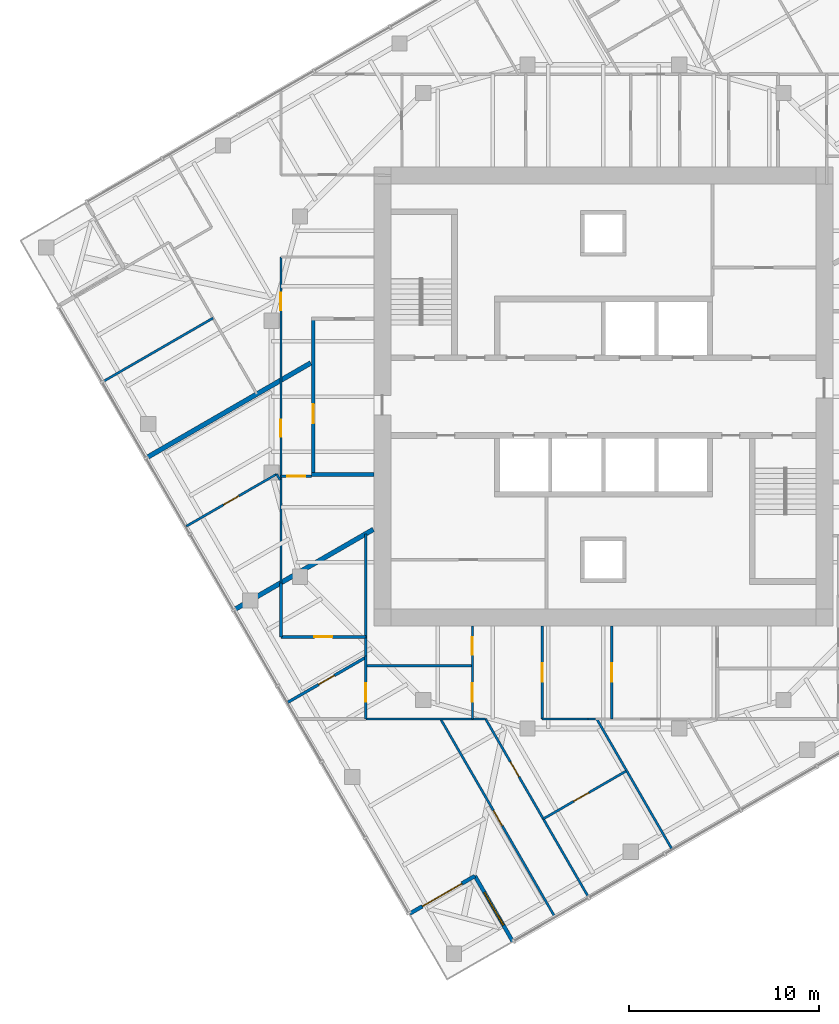
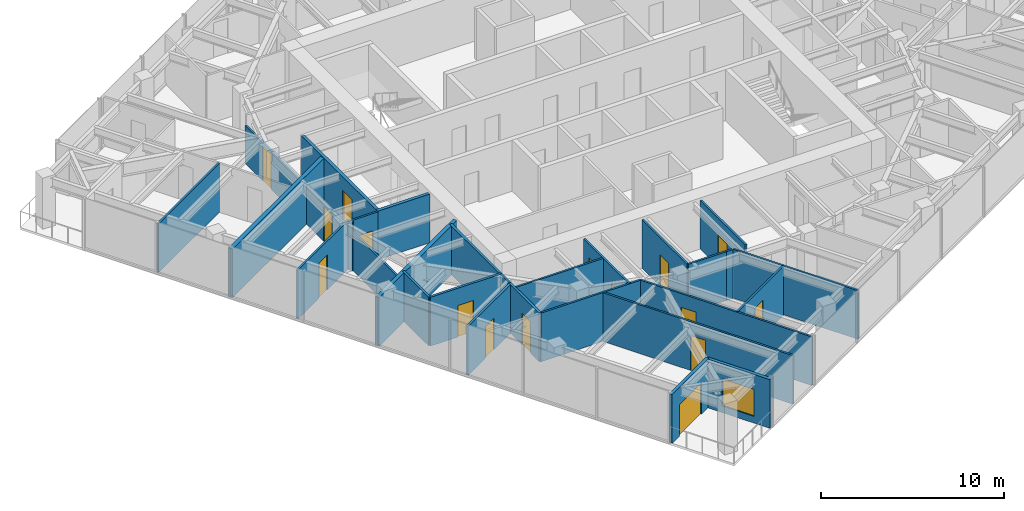
# One storey, part 7 of 12: 28 walls, 16 doors, 1 window, 17 openings.
"""IFC4 building model written with IfcOpenShell, lengths in metres."""

from ifc_helpers import new_model, si_unit, direction, frame, frame_2d, origin, place, context, subcontext, project, spatial, rectangle, extrude, material, layer, layer_set, type_object, element, fill, save


model = new_model("IFC4")

# Units and contexts
model_context = context("Model", 3, precision=1e-05, world=origin(), true_north=direction((0.0, 1.0)))
body_context = subcontext(model_context, "Body", "Model", "MODEL_VIEW")
ifc_project = project(units=[si_unit("LENGTHUNIT", "METRE"), si_unit("AREAUNIT", "SQUARE_METRE"), si_unit("VOLUMEUNIT", "CUBIC_METRE"), si_unit("PLANEANGLEUNIT", "RADIAN"), si_unit("MASSUNIT", "GRAM", prefix="KILO")], contexts=[model_context])

# Site, building, storey
site_placement = place(None, origin())
site = spatial("IfcSite", under=ifc_project, at=site_placement, CompositionType="ELEMENT")
building_placement = place(site_placement, origin())
building = spatial("IfcBuilding", under=site, at=building_placement, Name="Torsade Residences", CompositionType="ELEMENT")
storey_placement = place(building_placement, frame((0.0, 0.0, 211.60009765625)))
storey = spatial("IfcBuildingStorey", under=building, at=storey_placement, Name="L58", CompositionType="ELEMENT", Elevation=211.60009765625)

# Wall, opening, door
ifc_material_1 = material(Name="Plasterboard on steel stud", Category="steel")
ifc_layer_1 = layer(ifc_material_1, 0.199951171875)
ifc_layer_set_1 = layer_set([ifc_layer_1], Name="Plasterboard on steel stud")
wall_type_1 = type_object("IfcWallType", Name="CORRIDOR WALL 200", PredefinedType="PARTITIONING", material=ifc_layer_set_1)
wall_1_placement = place(storey_placement, frame((24.699951171875, 25.89990234375, 0.0), z_axis=(0.0, 0.0, 1.0), x_axis=(0.0, 1.0, 0.0)))
wall_1 = element("IfcWall", 1, at=wall_1_placement, inside=storey, type_object=wall_type_1, Name="Corridor wall L58", PredefinedType="PARTITIONING", context=body_context, shape_type="SweptSolid", body=[
    extrude(rectangle(XDim=8.2001953125, YDim=0.199951171875, at=frame_2d((4.10009765625, 0.0))), origin(), (0.0, 0.0, 1.0), 3.25),
])
opening_1_placement = place(wall_1_placement, frame((2.68701171875, 0.0, 0.0)))
opening_1 = element("IfcOpeningElement", 2, at=opening_1_placement, cuts=wall_1, Name="Opening D01", PredefinedType="OPENING", context=body_context, shape_type="SweptSolid", body=[
    extrude(rectangle(XDim=1.02001953125, YDim=2.340087890625, at=frame_2d((0.510009765625, 1.169921875))), frame((0.0, 0.10986328125, 0.0), z_axis=(0.0, -1.0, 0.0), x_axis=(1.0, 0.0, 0.0)), (0.0, 0.0, 1.0), 0.219970703125),
])
ifc_material_2 = material(Name="Solid-core timber fire door", Category="wood")
door_type_1 = type_object("IfcDoorType", Name="APARTMENT ENTRY DOOR 1020x2340", OperationType="NOTDEFINED", PredefinedType="DOOR", material=ifc_material_2)
door_1_placement = place(opening_1_placement, origin())
door_1 = element("IfcDoor", 3, at=door_1_placement, inside=storey, type_object=door_type_1, Name="Door Residential corridor to Kitchen and dining", OperationType="SINGLE_SWING_RIGHT", OverallHeight=2.340087890625, OverallWidth=1.02001953125, PredefinedType="DOOR", context=body_context, shape_type="SweptSolid", body=[
    extrude(rectangle(XDim=1.02001953125, YDim=2.340087890625, at=frame_2d((0.510009765625, 1.169921875))), frame((0.0, 0.02490234375, 0.0), z_axis=(0.0, -1.0, 0.0), x_axis=(1.0, 0.0, 0.0)), (0.0, 0.0, 1.0), 0.050048828125),
])
fill(opening_1, door_1)

# Wall
wall_2_placement = place(storey_placement, frame((27.89990234375, 25.89990234375, 0.0), z_axis=(0.0, 0.0, 1.0), x_axis=(-1.0, 0.0, 0.0)))
element("IfcWall", 4, at=wall_2_placement, inside=storey, type_object=wall_type_1, Name="Corridor wall L58", PredefinedType="PARTITIONING", context=body_context, shape_type="SweptSolid", body=[
    extrude(rectangle(XDim=3.2998046875, YDim=0.199951171875, at=frame_2d((1.64990234375, 0.0))), origin(), (0.0, 0.0, 1.0), 3.25),
])

# Wall, opening, door
ifc_material_3 = material(Name="Plasterboard on steel stud", Category="steel")
ifc_layer_2 = layer(ifc_material_3, 0.1201171875)
ifc_layer_set_2 = layer_set([ifc_layer_2], Name="Plasterboard on steel stud")
wall_type_2 = type_object("IfcWallType", Name="PARTITION 120", PredefinedType="PARTITIONING", material=ifc_layer_set_2)
wall_3_placement = place(storey_placement, frame((24.60009765625, 25.800048828125, 0.0), z_axis=(0.0, 0.0, 1.0), x_axis=(-1.0, 0.0, 0.0)))
wall_3 = element("IfcWall", 5, at=wall_3_placement, inside=storey, type_object=wall_type_2, Name="Partition L58", PredefinedType="PARTITIONING", context=body_context, shape_type="SweptSolid", body=[
    extrude(rectangle(XDim=1.60009765625, YDim=0.1201171875, at=frame_2d((0.800048828125, 0.0))), origin(), (0.0, 0.0, 1.0), 3.25),
])
opening_2_placement = place(wall_3_placement, frame((0.320068359375, 0.0, 0.0)))
opening_2 = element("IfcOpeningElement", 6, at=opening_2_placement, cuts=wall_3, Name="Opening D05", PredefinedType="OPENING", context=body_context, shape_type="SweptSolid", body=[
    extrude(rectangle(XDim=0.9599609375, YDim=2.10009765625, at=frame_2d((0.47998046875, 1.050048828125))), frame((0.0, 0.070068359375, 0.0), z_axis=(0.0, -1.0, 0.0), x_axis=(1.0, 0.0, 0.0)), (0.0, 0.0, 1.0), 0.14013671875),
])
ifc_material_4 = material(Name="Hollow-core timber door in a steel cavity frame", Category="steel")
door_type_2 = type_object("IfcDoorType", Name="BATHROOM CAVITY SLIDING DOOR 960", OperationType="SLIDING_TO_LEFT", PredefinedType="DOOR", material=ifc_material_4)
door_2_placement = place(opening_2_placement, origin())
door_2 = element("IfcDoor", 7, at=door_2_placement, inside=storey, type_object=door_type_2, Name="Door Kitchen and dining to Bathroom", OperationType="SLIDING_TO_LEFT", OverallHeight=2.10009765625, OverallWidth=0.9599609375, PredefinedType="DOOR", context=body_context, shape_type="SweptSolid", body=[
    extrude(rectangle(XDim=0.9599609375, YDim=2.10009765625, at=frame_2d((0.47998046875, 1.050048828125))), frame((0.0, 0.02490234375, 0.0), z_axis=(0.0, -1.0, 0.0), x_axis=(1.0, 0.0, 0.0)), (0.0, 0.0, 1.0), 0.050048828125),
])
fill(opening_2, door_2)

# Wall, openings, doors
wall_4_placement = place(storey_placement, frame((23.0, 20.18505859375, 0.0), z_axis=(0.0, 0.0, 1.0), x_axis=(0.0, 1.0, 0.0)))
wall_4 = element("IfcWall", 8, at=wall_4_placement, inside=storey, type_object=wall_type_2, Name="Partition L58", PredefinedType="PARTITIONING", context=body_context, shape_type="SweptSolid", body=[
    extrude(rectangle(XDim=17.180419921875, YDim=0.1201171875, at=frame_2d((8.59033203125, 0.0))), origin(), (0.0, 0.0, 1.0), 2.5498046875),
])
opening_3_placement = place(wall_4_placement, frame((7.68798828125, 0.0, 0.0)))
opening_3 = element("IfcOpeningElement", 9, at=opening_3_placement, cuts=wall_4, Name="Opening D02", PredefinedType="OPENING", context=body_context, shape_type="SweptSolid", body=[
    extrude(rectangle(XDim=0.919921875, YDim=2.340087890625, at=frame_2d((0.4599609375, 1.169921875))), frame((0.0, 0.070068359375, 0.0), z_axis=(0.0, -1.0, 0.0), x_axis=(1.0, 0.0, 0.0)), (0.0, 0.0, 1.0), 0.14013671875),
])
opening_4_placement = place(wall_4_placement, frame((14.37060546875, 0.0, 0.0)))
opening_4 = element("IfcOpeningElement", 10, at=opening_4_placement, cuts=wall_4, Name="Opening D02", PredefinedType="OPENING", context=body_context, shape_type="SweptSolid", body=[
    extrude(rectangle(XDim=0.919921875, YDim=2.340087890625, at=frame_2d((0.4599609375, 1.169921875))), frame((0.0, 0.070068359375, 0.0), z_axis=(0.0, -1.0, 0.0), x_axis=(1.0, 0.0, 0.0)), (0.0, 0.0, 1.0), 0.14013671875),
])
ifc_material_5 = material(Name="Hollow-core timber door", Category="wood")
door_type_3 = type_object("IfcDoorType", Name="INTERNAL DOOR 920x2340", OperationType="NOTDEFINED", PredefinedType="DOOR", material=ifc_material_5)
door_3_placement = place(opening_3_placement, origin())
door_3 = element("IfcDoor", 11, at=door_3_placement, inside=storey, type_object=door_type_3, Name="Door Kitchen and dining to Living room", OperationType="SINGLE_SWING_LEFT", OverallHeight=2.340087890625, OverallWidth=0.919921875, PredefinedType="DOOR", context=body_context, shape_type="SweptSolid", body=[
    extrude(rectangle(XDim=0.919921875, YDim=2.340087890625, at=frame_2d((0.4599609375, 1.169921875))), frame((0.0, 0.02490234375, 0.0), z_axis=(0.0, -1.0, 0.0), x_axis=(1.0, 0.0, 0.0)), (0.0, 0.0, 1.0), 0.050048828125),
])
fill(opening_3, door_3)
door_4_placement = place(opening_4_placement, origin())
door_4 = element("IfcDoor", 12, at=door_4_placement, inside=storey, type_object=door_type_3, Name="Door Kitchen and dining to Living room", OperationType="SINGLE_SWING_LEFT", OverallHeight=2.340087890625, OverallWidth=0.919921875, PredefinedType="DOOR", context=body_context, shape_type="SweptSolid", body=[
    extrude(rectangle(XDim=0.919921875, YDim=2.340087890625, at=frame_2d((0.4599609375, 1.169921875))), frame((0.0, 0.02490234375, 0.0), z_axis=(0.0, -1.0, 0.0), x_axis=(1.0, 0.0, 0.0)), (0.0, 0.0, 1.0), 0.050048828125),
])
fill(opening_4, door_4)

# Wall
wall_5_placement = place(storey_placement, frame((22.949951171875, 25.612060546875, 0.0), z_axis=(0.0, 0.0, 1.0), x_axis=(-0.49996389635, 0.866046247233, 0.0)))
element("IfcWall", 13, at=wall_5_placement, inside=storey, type_object=wall_type_2, Name="Partition L58", PredefinedType="PARTITIONING", context=body_context, shape_type="SweptSolid", body=[
    extrude(rectangle(XDim=0.35009765625, YDim=0.1201171875, at=frame_2d((0.175048828125, 0.0))), origin(), (0.0, 0.0, 1.0), 3.25),
])

# Wall, opening, door
wall_6_placement = place(storey_placement, frame((22.77490234375, 25.915283203125, 0.0), z_axis=(0.0, 0.0, 1.0), x_axis=(-0.866019274569, -0.500010615962, 0.0)))
wall_6 = element("IfcWall", 14, at=wall_6_placement, inside=storey, type_object=wall_type_2, Name="Partition L58", PredefinedType="PARTITIONING", context=body_context, shape_type="SweptSolid", body=[
    extrude(rectangle(XDim=5.50048828125, YDim=0.1201171875, at=frame_2d((2.750244140625, 0.0))), origin(), (0.0, 0.0, 1.0), 3.25),
])
opening_5_placement = place(wall_6_placement, frame((2.31005859375, 0.0, 0.0)))
opening_5 = element("IfcOpeningElement", 15, at=opening_5_placement, cuts=wall_6, Name="Opening D02", PredefinedType="OPENING", context=body_context, shape_type="SweptSolid", body=[
    extrude(rectangle(XDim=0.919921875, YDim=2.340087890625, at=frame_2d((0.4599609375, 1.169921875))), frame((0.0, 0.070068359375, 0.0), z_axis=(0.0, -1.0, 0.0), x_axis=(1.0, 0.0, 0.0)), (0.0, 0.0, 1.0), 0.14013671875),
])
door_5_placement = place(opening_5_placement, origin())
door_5 = element("IfcDoor", 16, at=door_5_placement, inside=storey, type_object=door_type_3, Name="Door Living room to Bedroom 1", OperationType="SINGLE_SWING_LEFT", OverallHeight=2.340087890625, OverallWidth=0.919921875, PredefinedType="DOOR", context=body_context, shape_type="SweptSolid", body=[
    extrude(rectangle(XDim=0.919921875, YDim=2.340087890625, at=frame_2d((0.4599609375, 1.169921875))), frame((0.0, 0.02490234375, 0.0), z_axis=(0.0, -1.0, 0.0), x_axis=(1.0, 0.0, 0.0)), (0.0, 0.0, 1.0), 0.050048828125),
])
fill(opening_5, door_5)

# Walls
wall_7_placement = place(storey_placement, frame((27.473388671875, 15.8046875, 0.0), z_axis=(0.0, 0.0, 1.0), x_axis=(1.0, 0.0, 0.0)))
element("IfcWall", 17, at=wall_7_placement, inside=storey, type_object=wall_type_2, Name="Partition L58", PredefinedType="PARTITIONING", context=body_context, shape_type="SweptSolid", body=[
    extrude(rectangle(XDim=5.62451171875, YDim=0.1201171875, at=frame_2d((2.812255859375, 0.0))), origin(), (0.0, 0.0, 1.0), 3.25),
])
wall_8_placement = place(storey_placement, frame((33.79345703125, 13.0, 0.0), z_axis=(0.0, 0.0, 1.0), x_axis=(-1.0, 0.0, 0.0)))
element("IfcWall", 18, at=wall_8_placement, inside=storey, type_object=wall_type_2, Name="Partition L58", PredefinedType="PARTITIONING", context=body_context, shape_type="SweptSolid", body=[
    extrude(rectangle(XDim=6.320068359375, YDim=0.1201171875, at=frame_2d((3.16015625, 0.0))), origin(), (0.0, 0.0, 1.0), 3.25),
])

# Wall, openings, doors
wall_9_placement = place(storey_placement, frame((33.097900390625, 17.89990234375, 0.0), z_axis=(0.0, 0.0, 1.0), x_axis=(0.0, -1.0, 0.0)))
wall_9 = element("IfcWall", 19, at=wall_9_placement, inside=storey, type_object=wall_type_2, Name="Partition L58", PredefinedType="PARTITIONING", context=body_context, shape_type="SweptSolid", body=[
    extrude(rectangle(XDim=4.89990234375, YDim=0.1201171875, at=frame_2d((2.449951171875, 0.0))), origin(), (0.0, 0.0, 1.0), 3.25),
])
opening_6_placement = place(wall_9_placement, frame((3.017578125, 0.0, 0.0)))
opening_6 = element("IfcOpeningElement", 20, at=opening_6_placement, cuts=wall_9, Name="Opening D05", PredefinedType="OPENING", context=body_context, shape_type="SweptSolid", body=[
    extrude(rectangle(XDim=0.9599609375, YDim=2.10009765625, at=frame_2d((0.47998046875, 1.050048828125))), frame((0.0, 0.070068359375, 0.0), z_axis=(0.0, -1.0, 0.0), x_axis=(1.0, 0.0, 0.0)), (0.0, 0.0, 1.0), 0.14013671875),
])
opening_7_placement = place(wall_9_placement, frame((0.587646484375, 0.0, 0.0)))
opening_7 = element("IfcOpeningElement", 21, at=opening_7_placement, cuts=wall_9, Name="Opening D02", PredefinedType="OPENING", context=body_context, shape_type="SweptSolid", body=[
    extrude(rectangle(XDim=0.919921875, YDim=2.340087890625, at=frame_2d((0.4599609375, 1.169921875))), frame((0.0, 0.070068359375, 0.0), z_axis=(0.0, -1.0, 0.0), x_axis=(1.0, 0.0, 0.0)), (0.0, 0.0, 1.0), 0.14013671875),
])
door_6_placement = place(opening_6_placement, origin())
door_6 = element("IfcDoor", 22, at=door_6_placement, inside=storey, type_object=door_type_2, Name="Door Walk-in robe 4 to Bathroom", OperationType="SLIDING_TO_LEFT", OverallHeight=2.10009765625, OverallWidth=0.9599609375, PredefinedType="DOOR", context=body_context, shape_type="SweptSolid", body=[
    extrude(rectangle(XDim=0.9599609375, YDim=2.10009765625, at=frame_2d((0.47998046875, 1.050048828125))), frame((0.0, 0.02490234375, 0.0), z_axis=(0.0, -1.0, 0.0), x_axis=(1.0, 0.0, 0.0)), (0.0, 0.0, 1.0), 0.050048828125),
])
fill(opening_6, door_6)
door_7_placement = place(opening_7_placement, origin())
door_7 = element("IfcDoor", 23, at=door_7_placement, inside=storey, type_object=door_type_3, Name="Door Walk-in robe 4 to Dressing room", OperationType="SINGLE_SWING_LEFT", OverallHeight=2.340087890625, OverallWidth=0.919921875, PredefinedType="DOOR", context=body_context, shape_type="SweptSolid", body=[
    extrude(rectangle(XDim=0.919921875, YDim=2.340087890625, at=frame_2d((0.4599609375, 1.169921875))), frame((0.0, 0.02490234375, 0.0), z_axis=(0.0, -1.0, 0.0), x_axis=(1.0, 0.0, 0.0)), (0.0, 0.0, 1.0), 0.050048828125),
])
fill(opening_7, door_7)

# Wall
wall_10_placement = place(storey_placement, frame((27.473388671875, 16.313720703125, 0.0), z_axis=(0.0, 0.0, 1.0), x_axis=(0.0, 1.0, 0.0)))
element("IfcWall", 24, at=wall_10_placement, inside=storey, type_object=wall_type_2, Name="Partition L58", PredefinedType="PARTITIONING", context=body_context, shape_type="SweptSolid", body=[
    extrude(rectangle(XDim=0.968505859375, YDim=0.1201171875, at=frame_2d((0.484375, 0.0))), origin(), (0.0, 0.0, 1.0), 3.25),
])

# Wall, opening, door
wall_11_placement = place(storey_placement, frame((40.44384765625, 17.89990234375, 0.0), z_axis=(0.0, 0.0, 1.0), x_axis=(0.0, -1.0, 0.0)))
wall_11 = element("IfcWall", 25, at=wall_11_placement, inside=storey, type_object=wall_type_2, Name="Partition L58", PredefinedType="PARTITIONING", context=body_context, shape_type="SweptSolid", body=[
    extrude(rectangle(XDim=4.89990234375, YDim=0.1201171875, at=frame_2d((2.449951171875, 0.0))), origin(), (0.0, 0.0, 1.0), 3.25),
])
opening_8_placement = place(wall_11_placement, frame((1.969970703125, 0.0, 0.0)))
opening_8 = element("IfcOpeningElement", 26, at=opening_8_placement, cuts=wall_11, Name="Opening D05", PredefinedType="OPENING", context=body_context, shape_type="SweptSolid", body=[
    extrude(rectangle(XDim=0.9599609375, YDim=2.10009765625, at=frame_2d((0.47998046875, 1.050048828125))), frame((0.0, 0.070068359375, 0.0), z_axis=(0.0, -1.0, 0.0), x_axis=(1.0, 0.0, 0.0)), (0.0, 0.0, 1.0), 0.14013671875),
])
door_8_placement = place(opening_8_placement, origin())
door_8 = element("IfcDoor", 27, at=door_8_placement, inside=storey, type_object=door_type_2, Name="Door Laundry to Ensuite", OperationType="SLIDING_TO_LEFT", OverallHeight=2.10009765625, OverallWidth=0.9599609375, PredefinedType="DOOR", context=body_context, shape_type="SweptSolid", body=[
    extrude(rectangle(XDim=0.9599609375, YDim=2.10009765625, at=frame_2d((0.47998046875, 1.050048828125))), frame((0.0, 0.02490234375, 0.0), z_axis=(0.0, -1.0, 0.0), x_axis=(1.0, 0.0, 0.0)), (0.0, 0.0, 1.0), 0.050048828125),
])
fill(opening_8, door_8)

# Wall
wall_12_placement = place(storey_placement, frame((39.191650390625, 13.0, 0.0), z_axis=(0.0, 0.0, 1.0), x_axis=(-1.0, 0.0, 0.0)))
element("IfcWall", 28, at=wall_12_placement, inside=storey, type_object=wall_type_2, Name="Partition L58", PredefinedType="PARTITIONING", context=body_context, shape_type="SweptSolid", body=[
    extrude(rectangle(XDim=2.420654296875, YDim=0.1201171875, at=frame_2d((1.21044921875, 0.0))), origin(), (0.0, 0.0, 1.0), 3.25),
])

# Wall, opening, door
wall_13_placement = place(storey_placement, frame((36.77099609375, 13.0, 0.0), z_axis=(0.0, 0.0, 1.0), x_axis=(0.0, 1.0, 0.0)))
wall_13 = element("IfcWall", 29, at=wall_13_placement, inside=storey, type_object=wall_type_2, Name="Partition L58", PredefinedType="PARTITIONING", context=body_context, shape_type="SweptSolid", body=[
    extrude(rectangle(XDim=4.89990234375, YDim=0.1201171875, at=frame_2d((2.449951171875, 0.0))), origin(), (0.0, 0.0, 1.0), 3.25),
])
opening_9_placement = place(wall_13_placement, frame((1.969970703125, 0.0, 0.0)))
opening_9 = element("IfcOpeningElement", 30, at=opening_9_placement, cuts=wall_13, Name="Opening D05", PredefinedType="OPENING", context=body_context, shape_type="SweptSolid", body=[
    extrude(rectangle(XDim=0.9599609375, YDim=2.10009765625, at=frame_2d((0.47998046875, 1.050048828125))), frame((0.0, 0.070068359375, 0.0), z_axis=(0.0, -1.0, 0.0), x_axis=(1.0, 0.0, 0.0)), (0.0, 0.0, 1.0), 0.14013671875),
])
door_9_placement = place(opening_9_placement, origin())
door_9 = element("IfcDoor", 31, at=door_9_placement, inside=storey, type_object=door_type_2, Name="Door Ensuite to Walk-in robe 4", OperationType="SLIDING_TO_LEFT", OverallHeight=2.10009765625, OverallWidth=0.9599609375, PredefinedType="DOOR", context=body_context, shape_type="SweptSolid", body=[
    extrude(rectangle(XDim=0.9599609375, YDim=2.10009765625, at=frame_2d((0.47998046875, 1.050048828125))), frame((0.0, 0.02490234375, 0.0), z_axis=(0.0, -1.0, 0.0), x_axis=(1.0, 0.0, 0.0)), (0.0, 0.0, 1.0), 0.050048828125),
])
fill(opening_9, door_9)

wall_14_placement = place(storey_placement, frame((31.41943359375, 13.0, 0.0), z_axis=(0.0, 0.0, 1.0), x_axis=(0.499996550604, -0.866027395285, 0.0)))
wall_14 = element("IfcWall", 32, at=wall_14_placement, inside=storey, type_object=wall_type_2, Name="Partition L58", PredefinedType="PARTITIONING", context=body_context, shape_type="SweptSolid", body=[
    extrude(rectangle(XDim=12.02783203125, YDim=0.1201171875, at=frame_2d((6.013916015625, 0.0))), origin(), (0.0, 0.0, 1.0), 3.25),
])
opening_10_placement = place(wall_14_placement, frame((5.573974609375, 0.0, 0.0)))
opening_10 = element("IfcOpeningElement", 33, at=opening_10_placement, cuts=wall_14, Name="Opening D02", PredefinedType="OPENING", context=body_context, shape_type="SweptSolid", body=[
    extrude(rectangle(XDim=0.919921875, YDim=2.340087890625, at=frame_2d((0.4599609375, 1.169921875))), frame((0.0, 0.070068359375, 0.0), z_axis=(0.0, -1.0, 0.0), x_axis=(1.0, 0.0, 0.0)), (0.0, 0.0, 1.0), 0.14013671875),
])
door_10_placement = place(opening_10_placement, origin())
door_10 = element("IfcDoor", 34, at=door_10_placement, inside=storey, type_object=door_type_3, Name="Door Walk-in robe 2 to Living room", OperationType="SINGLE_SWING_LEFT", OverallHeight=2.340087890625, OverallWidth=0.919921875, PredefinedType="DOOR", context=body_context, shape_type="SweptSolid", body=[
    extrude(rectangle(XDim=0.919921875, YDim=2.340087890625, at=frame_2d((0.4599609375, 1.169921875))), frame((0.0, 0.02490234375, 0.0), z_axis=(0.0, -1.0, 0.0), x_axis=(1.0, 0.0, 0.0)), (0.0, 0.0, 1.0), 0.050048828125),
])
fill(opening_10, door_10)

# Wall
wall_15_placement = place(storey_placement, frame((43.609130859375, 6.149169921875, 0.0), z_axis=(0.0, 0.0, 1.0), x_axis=(-0.500022546589, 0.866012386114, 0.0)))
element("IfcWall", 35, at=wall_15_placement, inside=storey, type_object=wall_type_2, Name="Partition L58", PredefinedType="PARTITIONING", context=body_context, shape_type="SweptSolid", body=[
    extrude(rectangle(XDim=7.910888671875, YDim=0.1201171875, at=frame_2d((3.95556640625, 0.0))), origin(), (0.0, 0.0, 1.0), 3.25),
])

# Wall, opening, door
wall_16_placement = place(storey_placement, frame((33.79345703125, 13.0, 0.0), z_axis=(0.0, 0.0, 1.0), x_axis=(0.499999922276, -0.866025448659, 0.0)))
wall_16 = element("IfcWall", 36, at=wall_16_placement, inside=storey, type_object=wall_type_2, Name="Partition L58", PredefinedType="PARTITIONING", context=body_context, shape_type="SweptSolid", body=[
    extrude(rectangle(XDim=10.8408203125, YDim=0.1201171875, at=frame_2d((5.42041015625, 0.0))), origin(), (0.0, 0.0, 1.0), 3.25),
])
opening_11_placement = place(wall_16_placement, frame((2.603515625, 0.0, 0.0)))
opening_11 = element("IfcOpeningElement", 37, at=opening_11_placement, cuts=wall_16, Name="Opening D02", PredefinedType="OPENING", context=body_context, shape_type="SweptSolid", body=[
    extrude(rectangle(XDim=0.919921875, YDim=2.340087890625, at=frame_2d((0.4599609375, 1.169921875))), frame((0.0, 0.070068359375, 0.0), z_axis=(0.0, -1.0, 0.0), x_axis=(1.0, 0.0, 0.0)), (0.0, 0.0, 1.0), 0.14013671875),
])
door_11_placement = place(opening_11_placement, origin())
door_11 = element("IfcDoor", 38, at=door_11_placement, inside=storey, type_object=door_type_3, Name="Door Walk-in robe 4 to Walk-in robe 2", OperationType="SINGLE_SWING_RIGHT", OverallHeight=2.340087890625, OverallWidth=0.919921875, PredefinedType="DOOR", context=body_context, shape_type="SweptSolid", body=[
    extrude(rectangle(XDim=0.919921875, YDim=2.340087890625, at=frame_2d((0.4599609375, 1.169921875))), frame((0.0, 0.02490234375, 0.0), z_axis=(0.0, -1.0, 0.0), x_axis=(1.0, 0.0, 0.0)), (0.0, 0.0, 1.0), 0.050048828125),
])
fill(opening_11, door_11)

wall_17_placement = place(storey_placement, frame((36.83203125, 7.7373046875, 0.0), z_axis=(0.0, 0.0, 1.0), x_axis=(0.866014397438, 0.500019063067, 0.0)))
wall_17 = element("IfcWall", 39, at=wall_17_placement, inside=storey, type_object=wall_type_2, Name="Partition L58", PredefinedType="PARTITIONING", context=body_context, shape_type="SweptSolid", body=[
    extrude(rectangle(XDim=5.034912109375, YDim=0.1201171875, at=frame_2d((2.517578125, 0.0))), origin(), (0.0, 0.0, 1.0), 3.25),
])
opening_12_placement = place(wall_17_placement, frame((1.8525390625, 0.0, 0.0)))
opening_12 = element("IfcOpeningElement", 40, at=opening_12_placement, cuts=wall_17, Name="Opening D02", PredefinedType="OPENING", context=body_context, shape_type="SweptSolid", body=[
    extrude(rectangle(XDim=0.919921875, YDim=2.340087890625, at=frame_2d((0.4599609375, 1.169921875))), frame((0.0, 0.070068359375, 0.0), z_axis=(0.0, -1.0, 0.0), x_axis=(1.0, 0.0, 0.0)), (0.0, 0.0, 1.0), 0.14013671875),
])
door_12_placement = place(opening_12_placement, origin())
door_12 = element("IfcDoor", 41, at=door_12_placement, inside=storey, type_object=door_type_3, Name="Door Walk-in robe 4 to Media room", OperationType="SINGLE_SWING_LEFT", OverallHeight=2.340087890625, OverallWidth=0.919921875, PredefinedType="DOOR", context=body_context, shape_type="SweptSolid", body=[
    extrude(rectangle(XDim=0.919921875, YDim=2.340087890625, at=frame_2d((0.4599609375, 1.169921875))), frame((0.0, 0.02490234375, 0.0), z_axis=(0.0, -1.0, 0.0), x_axis=(1.0, 0.0, 0.0)), (0.0, 0.0, 1.0), 0.050048828125),
])
fill(opening_12, door_12)

# Walls
wall_18_placement = place(storey_placement, frame((13.611572265625, 30.7861328125, 0.0), z_axis=(0.0, 0.0, 1.0), x_axis=(0.866030409726, 0.499991329354, 0.0)))
element("IfcWall", 42, at=wall_18_placement, inside=storey, type_object=wall_type_2, Name="Partition L58", PredefinedType="PARTITIONING", context=body_context, shape_type="SweptSolid", body=[
    extrude(rectangle(XDim=6.70703125, YDim=0.1201171875, at=frame_2d((3.353515625, 0.0))), origin(), (0.0, 0.0, 1.0), 3.25),
])
wall_19_placement = place(storey_placement, frame((39.191650390625, 13.0, 0.0), z_axis=(0.0, 0.0, 1.0), x_axis=(1.0, 0.0, 0.0)))
element("IfcWall", 43, at=wall_19_placement, inside=storey, type_object=wall_type_2, Name="Partition L58", PredefinedType="PARTITIONING", context=body_context, shape_type="SweptSolid", body=[
    extrude(rectangle(XDim=0.404296875, YDim=0.1201171875, at=frame_2d((0.2021484375, 0.0))), origin(), (0.0, 0.0, 1.0), 3.25),
])
ifc_material_6 = material(Name="Masonry-lined stud party wall", Category="masonry")
ifc_layer_3 = layer(ifc_material_6, 0.25)
ifc_layer_set_3 = layer_set([ifc_layer_3], Name="Masonry-lined stud party wall")
wall_type_3 = type_object("IfcWallType", Name="PARTY WALL 250", PredefinedType="PARTITIONING", material=ifc_layer_set_3)
wall_20_placement = place(storey_placement, frame((20.514404296875, 18.75, 0.0), z_axis=(0.0, 0.0, 1.0), x_axis=(0.866020489494, 0.500008511703, 0.0)))
element("IfcWall", 44, at=wall_20_placement, inside=storey, type_object=wall_type_3, Name="Party wall L58", PredefinedType="PARTITIONING", context=body_context, shape_type="SweptSolid", body=[
    extrude(rectangle(XDim=8.495849609375, YDim=0.25, at=frame_2d((4.248046875, 0.0))), origin(), (0.0, 0.0, 1.0), 3.25),
])
wall_21_placement = place(storey_placement, frame((15.889404296875, 26.7607421875, 0.0), z_axis=(0.0, 0.0, 1.0), x_axis=(0.866024190901, 0.50000210077, 0.0)))
element("IfcWall", 45, at=wall_21_placement, inside=storey, type_object=wall_type_3, Name="Party wall L58", PredefinedType="PARTITIONING", context=body_context, shape_type="SweptSolid", body=[
    extrude(rectangle(XDim=10.02587890625, YDim=0.25, at=frame_2d((5.012939453125, 0.0))), origin(), (0.0, 0.0, 1.0), 3.25),
])

# Wall, opening, door
ifc_material_7 = material(Name="Reinforced blockwork", Category="masonry")
ifc_layer_4 = layer(ifc_material_7, 0.14990234375)
ifc_layer_set_4 = layer_set([ifc_layer_4], Name="Reinforced blockwork")
wall_type_4 = type_object("IfcWallType", Name="SERVICE ROOM WALL 150", PredefinedType="SOLIDWALL", material=ifc_layer_set_4)
wall_22_placement = place(storey_placement, frame((27.473388671875, 13.0, 0.0), z_axis=(0.0, 0.0, 1.0), x_axis=(0.0, 1.0, 0.0)))
wall_22 = element("IfcWall", 46, at=wall_22_placement, inside=storey, type_object=wall_type_4, Name="Service room wall L58", PredefinedType="SOLIDWALL", context=body_context, shape_type="SweptSolid", body=[
    extrude(rectangle(XDim=3.313720703125, YDim=0.14990234375, at=frame_2d((1.65673828125, 0.0))), origin(), (0.0, 0.0, 1.0), 3.25),
])
opening_13_placement = place(wall_22_placement, frame((0.92236328125, 0.0, 0.0)))
opening_13 = element("IfcOpeningElement", 47, at=opening_13_placement, cuts=wall_22, Name="Opening D05", PredefinedType="OPENING", context=body_context, shape_type="SweptSolid", body=[
    extrude(rectangle(XDim=0.9599609375, YDim=2.10009765625, at=frame_2d((0.47998046875, 1.050048828125))), frame((0.0, 0.0849609375, 0.0), z_axis=(0.0, -1.0, 0.0), x_axis=(1.0, 0.0, 0.0)), (0.0, 0.0, 1.0), 0.169921875),
])
door_13_placement = place(opening_13_placement, origin())
door_13 = element("IfcDoor", 48, at=door_13_placement, inside=storey, type_object=door_type_2, Name="Door Bathroom to Linen store 5", OperationType="SLIDING_TO_LEFT", OverallHeight=2.10009765625, OverallWidth=0.9599609375, PredefinedType="DOOR", context=body_context, shape_type="SweptSolid", body=[
    extrude(rectangle(XDim=0.9599609375, YDim=2.10009765625, at=frame_2d((0.47998046875, 1.050048828125))), frame((0.0, 0.02490234375, 0.0), z_axis=(0.0, -1.0, 0.0), x_axis=(1.0, 0.0, 0.0)), (0.0, 0.0, 1.0), 0.050048828125),
])
fill(opening_13, door_13)

# Walls
wall_23_placement = place(storey_placement, frame((27.473388671875, 17.2822265625, 0.0), z_axis=(0.0, 0.0, 1.0), x_axis=(0.0, 1.0, 0.0)))
element("IfcWall", 49, at=wall_23_placement, inside=storey, type_object=wall_type_4, Name="Service room wall L58", PredefinedType="SOLIDWALL", context=body_context, shape_type="SweptSolid", body=[
    extrude(rectangle(XDim=5.4853515625, YDim=0.14990234375, at=frame_2d((2.74267578125, 0.0))), origin(), (0.0, 0.0, 1.0), 3.25),
])
wall_24_placement = place(storey_placement, frame((23.0, 20.18505859375, 0.0), z_axis=(0.0, 0.0, 1.0), x_axis=(0.0, -1.0, 0.0)))
element("IfcWall", 50, at=wall_24_placement, inside=storey, type_object=wall_type_4, Name="Service room wall L58", PredefinedType="SOLIDWALL", context=body_context, shape_type="SweptSolid", body=[
    extrude(rectangle(XDim=2.852783203125, YDim=0.14990234375, at=frame_2d((1.42626953125, 0.0))), origin(), (0.0, 0.0, 1.0), 3.25),
])

# Wall, opening, door
wall_25_placement = place(storey_placement, frame((23.0, 17.332275390625, 0.0), z_axis=(0.0, 0.0, 1.0), x_axis=(1.0, 0.0, 0.0)))
wall_25 = element("IfcWall", 51, at=wall_25_placement, inside=storey, type_object=wall_type_4, Name="Service room wall L58", PredefinedType="SOLIDWALL", context=body_context, shape_type="SweptSolid", body=[
    extrude(rectangle(XDim=4.473388671875, YDim=0.14990234375, at=frame_2d((2.23681640625, 0.0))), origin(), (0.0, 0.0, 1.0), 3.25),
])
opening_14_placement = place(wall_25_placement, frame((1.756591796875, 0.0, 0.0)))
opening_14 = element("IfcOpeningElement", 52, at=opening_14_placement, cuts=wall_25, Name="Opening D05", PredefinedType="OPENING", context=body_context, shape_type="SweptSolid", body=[
    extrude(rectangle(XDim=0.9599609375, YDim=2.10009765625, at=frame_2d((0.47998046875, 1.050048828125))), frame((0.0, 0.0849609375, 0.0), z_axis=(0.0, -1.0, 0.0), x_axis=(1.0, 0.0, 0.0)), (0.0, 0.0, 1.0), 0.169921875),
])
door_14_placement = place(opening_14_placement, origin())
door_14 = element("IfcDoor", 53, at=door_14_placement, inside=storey, type_object=door_type_2, Name="Door WC to Linen store", OperationType="SLIDING_TO_LEFT", OverallHeight=2.10009765625, OverallWidth=0.9599609375, PredefinedType="DOOR", context=body_context, shape_type="SweptSolid", body=[
    extrude(rectangle(XDim=0.9599609375, YDim=2.10009765625, at=frame_2d((0.47998046875, 1.050048828125))), frame((0.0, 0.02490234375, 0.0), z_axis=(0.0, -1.0, 0.0), x_axis=(1.0, 0.0, 0.0)), (0.0, 0.0, 1.0), 0.050048828125),
])
fill(opening_14, door_14)

wall_26_placement = place(storey_placement, frame((27.473388671875, 16.255859375, 0.0), z_axis=(0.0, 0.0, 1.0), x_axis=(-0.866047486323, -0.49996174997, 0.0)))
wall_26 = element("IfcWall", 54, at=wall_26_placement, inside=storey, type_object=wall_type_4, Name="Service room wall L58", PredefinedType="SOLIDWALL", context=body_context, shape_type="SweptSolid", body=[
    extrude(rectangle(XDim=4.739501953125, YDim=0.14990234375, at=frame_2d((2.36962890625, 0.0))), origin(), (0.0, 0.0, 1.0), 3.25),
])
opening_15_placement = place(wall_26_placement, frame((1.90966796875, 0.0, 0.0)))
opening_15 = element("IfcOpeningElement", 55, at=opening_15_placement, cuts=wall_26, Name="Opening D05", PredefinedType="OPENING", context=body_context, shape_type="SweptSolid", body=[
    extrude(rectangle(XDim=0.9599609375, YDim=2.10009765625, at=frame_2d((0.47998046875, 1.050048828125))), frame((0.0, 0.0849609375, 0.0), z_axis=(0.0, -1.0, 0.0), x_axis=(1.0, 0.0, 0.0)), (0.0, 0.0, 1.0), 0.169921875),
])
door_15_placement = place(opening_15_placement, origin())
door_15 = element("IfcDoor", 56, at=door_15_placement, inside=storey, type_object=door_type_2, Name="Door Linen store 5 to WC", OperationType="SLIDING_TO_LEFT", OverallHeight=2.10009765625, OverallWidth=0.9599609375, PredefinedType="DOOR", context=body_context, shape_type="SweptSolid", body=[
    extrude(rectangle(XDim=0.9599609375, YDim=2.10009765625, at=frame_2d((0.47998046875, 1.050048828125))), frame((0.0, 0.02490234375, 0.0), z_axis=(0.0, -1.0, 0.0), x_axis=(1.0, 0.0, 0.0)), (0.0, 0.0, 1.0), 0.050048828125),
])
fill(opening_15, door_15)

ifc_material_8 = material(Name="Stone-faced precast concrete 40 MPa panel", Category="masonry")
ifc_layer_5 = layer(ifc_material_8, 0.199951171875)
ifc_layer_set_5 = layer_set([ifc_layer_5], Name="Stone-faced precast concrete 40 MPa panel")
wall_type_5 = type_object("IfcWallType", Name="TERRACE WALL 200", PredefinedType="SOLIDWALL", material=ifc_layer_set_5)
wall_27_placement = place(storey_placement, frame((29.764404296875, 2.728515625, 0.0), z_axis=(0.0, 0.0, 1.0), x_axis=(0.866026010844, 0.49999894854, 0.0)))
wall_27 = element("IfcWall", 57, at=wall_27_placement, inside=storey, type_object=wall_type_5, Name="Terrace wall L58 11", PredefinedType="SOLIDWALL", context=body_context, shape_type="SweptSolid", body=[
    extrude(rectangle(XDim=4.0, YDim=0.199951171875, at=frame_2d((2.0, 0.0))), origin(), (0.0, 0.0, 1.0), 3.25),
])
opening_16_placement = place(wall_27_placement, frame((0.800048828125, 0.0, 0.0)))
opening_16 = element("IfcOpeningElement", 58, at=opening_16_placement, cuts=wall_27, Name="Opening D10A", PredefinedType="OPENING", context=body_context, shape_type="SweptSolid", body=[
    extrude(rectangle(XDim=2.39990234375, YDim=2.10009765625, at=frame_2d((1.199951171875, 1.050048828125))), frame((0.0, 0.10986328125, 0.0), z_axis=(0.0, -1.0, 0.0), x_axis=(1.0, 0.0, 0.0)), (0.0, 0.0, 1.0), 0.219970703125),
])
ifc_material_9 = material(Name="Aluminium-framed glass door", Category="aluminium")
door_type_4 = type_object("IfcDoorType", Name="TERRACE SLIDING DOOR 2400x2100", OperationType="SLIDING_TO_LEFT", PredefinedType="DOOR", material=ifc_material_9)
door_16_placement = place(opening_16_placement, origin())
door_16 = element("IfcDoor", 59, at=door_16_placement, inside=storey, type_object=door_type_4, Name="Terrace door L58 11", OperationType="SLIDING_TO_LEFT", OverallHeight=2.10009765625, OverallWidth=2.39990234375, PredefinedType="DOOR", context=body_context, shape_type="SweptSolid", body=[
    extrude(rectangle(XDim=2.39990234375, YDim=2.10009765625, at=frame_2d((1.199951171875, 1.050048828125))), frame((0.0, 0.02490234375, 0.0), z_axis=(0.0, -1.0, 0.0), x_axis=(1.0, 0.0, 0.0)), (0.0, 0.0, 1.0), 0.050048828125),
])
fill(opening_16, door_16)

# Wall, opening, window
wall_28_placement = place(storey_placement, frame((33.228515625, 4.728515625, 0.0), z_axis=(0.0, 0.0, 1.0), x_axis=(0.49999894854, -0.866026010844, 0.0)))
wall_28 = element("IfcWall", 60, at=wall_28_placement, inside=storey, type_object=wall_type_5, Name="Terrace wall L58 12", PredefinedType="SOLIDWALL", context=body_context, shape_type="SweptSolid", body=[
    extrude(rectangle(XDim=4.0, YDim=0.199951171875, at=frame_2d((2.0, 0.0))), origin(), (0.0, 0.0, 1.0), 3.25),
])
opening_17_placement = place(wall_28_placement, frame((1.0, 0.0, 0.449951171875)))
opening_17 = element("IfcOpeningElement", 61, at=opening_17_placement, cuts=wall_28, Name="Opening W1B", PredefinedType="OPENING", context=body_context, shape_type="SweptSolid", body=[
    extrude(rectangle(XDim=2.0, YDim=1.800048828125, at=frame_2d((1.0, 0.89990234375))), frame((0.0, 0.10986328125, 0.0), z_axis=(0.0, -1.0, 0.0), x_axis=(1.0, 0.0, 0.0)), (0.0, 0.0, 1.0), 0.219970703125),
])
ifc_material_10 = material(Name="Aluminium-framed glass window", Category="aluminium")
window_type = type_object("IfcWindowType", Name="TERRACE WINDOW 2000x1800", PartitioningType="SINGLE_PANEL", PredefinedType="WINDOW", material=ifc_material_10)
window_placement = place(opening_17_placement, origin())
window = element("IfcWindow", 62, at=window_placement, inside=storey, type_object=window_type, Name="Terrace window L58 12", OverallHeight=1.800048828125, OverallWidth=2.0, PartitioningType="SINGLE_PANEL", PredefinedType="WINDOW", context=body_context, shape_type="SweptSolid", body=[
    extrude(rectangle(XDim=2.0, YDim=1.800048828125, at=frame_2d((1.0, 0.89990234375))), frame((0.0, 0.030029296875, 0.0), z_axis=(0.0, -1.0, 0.0), x_axis=(1.0, 0.0, 0.0)), (0.0, 0.0, 1.0), 0.06005859375),
])
fill(opening_17, window)

save(model, "model.ifc")
